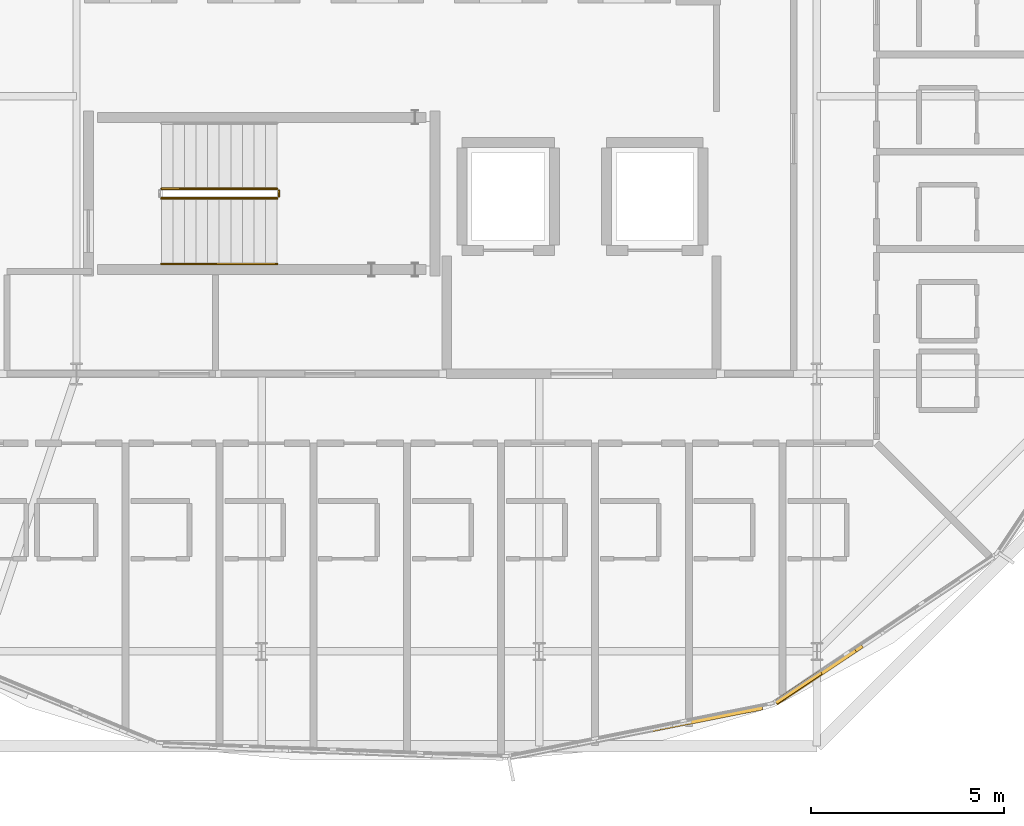
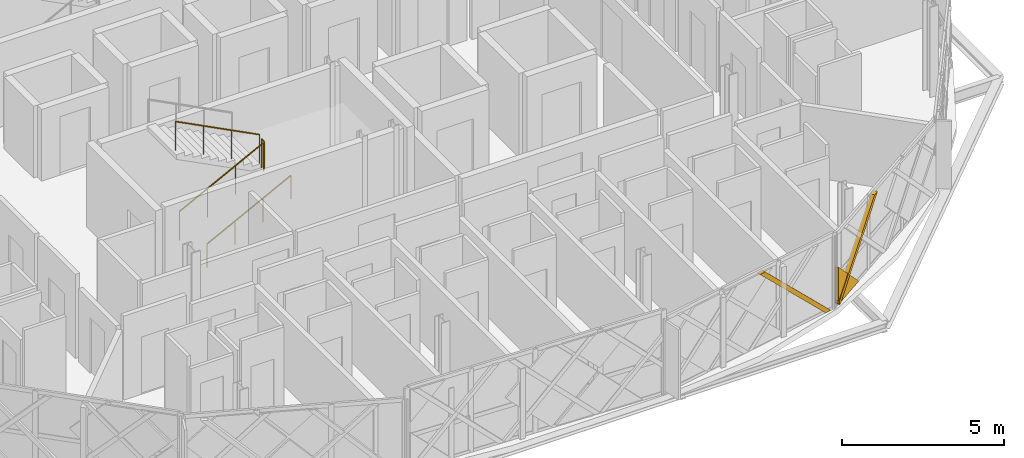
# One storey, part 21 of 24: 4 railings, 3 coverings.
"""IFC4 building model written with IfcOpenShell, lengths in metres."""

from ifc_helpers import new_model, si_unit, direction, frame, origin, origin_2d, place, context, subcontext, project, spatial, polyline, circle, outline, extrude, material, layer, layer_set, type_object, element, save


model = new_model("IFC4")

# Units and contexts
model_context = context("Model", 3, precision=1e-05, world=origin(), true_north=direction((0.0, 1.0)))
body_context = subcontext(model_context, "Body", "Model", "MODEL_VIEW")
ifc_project = project(units=[si_unit("LENGTHUNIT", "METRE"), si_unit("AREAUNIT", "SQUARE_METRE"), si_unit("VOLUMEUNIT", "CUBIC_METRE"), si_unit("PLANEANGLEUNIT", "RADIAN"), si_unit("MASSUNIT", "GRAM", prefix="KILO")], contexts=[model_context])

# Site, building, storey
site_placement = place(None, origin())
site = spatial("IfcSite", under=ifc_project, at=site_placement, CompositionType="ELEMENT")
building_placement = place(site_placement, origin())
building = spatial("IfcBuilding", under=site, at=building_placement, Name="Zevrakil Square Congress Hotel", CompositionType="ELEMENT")
storey_placement = place(building_placement, frame((0.0, 0.0, 31.699951171875)))
storey = spatial("IfcBuildingStorey", under=building, at=storey_placement, Name="L09", CompositionType="ELEMENT", Elevation=31.699951171875)

# Coverings
ifc_material_1 = material(Name="Architectural White Fibre-C GRC", Category="concrete")
ifc_layer_1 = layer(ifc_material_1, 0.06494140625)
ifc_layer_set_1 = layer_set([ifc_layer_1], Name="Architectural White Fibre-C GRC")
covering_type_1 = type_object("IfcCoveringType", Name="COV-DIA-WHITE", PredefinedType="CLADDING", material=ifc_layer_set_1)
covering_1_placement = place(storey_placement, frame((156.139404296875, 9.01171875, 0.080078125), z_axis=(0.555618744269, -0.831436961663, 0.000624337381), x_axis=(-0.831437123709, -0.555618852558, 0.0)))
element("IfcCovering", 1, at=covering_1_placement, inside=storey, type_object=covering_type_1, Name="L09 45-degree white GRC diamond facade cassette 2940", PredefinedType="CLADDING", context=body_context, shape_type="SweptSolid", body=[
    extrude(outline(polyline([(0.0, 0.0), (1.4100444252712594, -5.421010862427522e-20), (1.4100434530275447, -1.409912384164952), (0.0, 0.0)])), origin(), (0.0, 0.0, -1.0), 0.1201171875),
])
ifc_material_2 = material(Name="Anodised Champagne Aluminium", Category="aluminium")
ifc_layer_2 = layer(ifc_material_2, 0.0849609375)
ifc_layer_set_2 = layer_set([ifc_layer_2], Name="Anodised Champagne Aluminium")
covering_type_2 = type_object("IfcCoveringType", Name="COV-DIAGRID-45", PredefinedType="MOLDING", material=ifc_layer_set_2)
covering_2_placement = place(storey_placement, frame((151.748291015625, 7.517822265625, 2.775146484375), z_axis=(0.195119812654, -0.980779235287, 0.000591894523), x_axis=(0.980779407129, 0.195119846639, -3.34169e-07)))
element("IfcCovering", 2, at=covering_2_placement, inside=storey, type_object=covering_type_2, Name="L09 45-degree aluminium diagrid rib 2939", PredefinedType="MOLDING", context=body_context, shape_type="SweptSolid", body=[
    extrude(outline(polyline([(0.0, 0.0), (0.212060378162971, 3.3881317890172014e-21), (2.9071288693396915, -2.695067859996817), (2.695020854495412, -2.6950680017407533), (0.0, 0.0)])), origin(), (0.0, 0.0, -1.0), 0.14501953125),
])
covering_3_placement = place(storey_placement, frame((155.052490234375, 8.25537109375, 0.080078125), z_axis=(0.555778778093, -0.831330140303, 0.000384247407), x_axis=(-0.831330201651, -0.555778819156, -1.06305e-07)))
element("IfcCovering", 3, at=covering_3_placement, inside=storey, type_object=covering_type_2, Name="L09 45-degree aluminium diagrid rib 2944", PredefinedType="MOLDING", context=body_context, shape_type="SweptSolid", body=[
    extrude(outline(polyline([(0.0, 0.0), (0.08606259707968747, -3.3881317890172014e-21), (0.0862655451627268, -0.1259766053594372), (-2.3829392470929416, -2.594970631842353), (-2.595014826986635, -2.594970633705189), (0.0, 0.0)])), origin(), (0.0, 0.0, -1.0), 0.14501953125),
])

# Railings
ifc_material_3 = material(Name="Steel S355", Category="steel")
railing_type_1 = type_object("IfcRailingType", Name="RLG-STAIR-GUARD-1100", PredefinedType="BALUSTRADE", material=ifc_material_3)
railing_1_placement = place(storey_placement, frame((139.0, 21.35009765625, 0.154541015625)))
element("IfcRailing", 4, at=railing_1_placement, inside=storey, type_object=railing_type_1, Name="L09 ST01 stair guard 1", PredefinedType="BALUSTRADE", context=body_context, shape_type="SweptSolid", body=[
    extrude(circle(Radius=0.02392578125, at=origin_2d()), frame((0.0, 0.0, 1.076171875), z_axis=(0.888979911393, 0.0, 0.45794619459), x_axis=(0.0, 1.0, 0.0)), (0.0, 0.0, 1.0), 3.374755859375),
    extrude(circle(Radius=0.02099609375, at=origin_2d()), origin(), (0.0, 0.0, 1.0), 1.052001953125),
    extrude(circle(Radius=0.02099609375, at=origin_2d()), frame((1.0, 0.0, 0.51513671875)), (0.0, 0.0, 1.0), 1.052001953125),
    extrude(circle(Radius=0.02099609375, at=origin_2d()), frame((2.0, 0.0, 1.0302734375)), (0.0, 0.0, 1.0), 1.052001953125),
    extrude(circle(Radius=0.02099609375, at=origin_2d()), frame((3.0, 0.0, 1.54541015625)), (0.0, 0.0, 1.0), 1.052001953125),
])
railing_2_placement = place(storey_placement, frame((142.050048828125, 21.39990234375, 1.699951171875)))
element("IfcRailing", 5, at=railing_2_placement, inside=storey, type_object=railing_type_1, Name="L09 ST01 stair guard 2", PredefinedType="BALUSTRADE", context=body_context, shape_type="SweptSolid", body=[
    extrude(circle(Radius=0.02392578125, at=origin_2d()), frame((0.0, 0.0, 1.076171875), z_axis=(0.0, 1.0, 0.0), x_axis=(-1.0, 0.0, 0.0)), (0.0, 0.0, 1.0), 0.150146484375),
    extrude(circle(Radius=0.02099609375, at=origin_2d()), origin(), (0.0, 0.0, 1.0), 1.052001953125),
    extrude(circle(Radius=0.02099609375, at=origin_2d()), frame((0.0, 0.150146484375, 0.0)), (0.0, 0.0, 1.0), 1.052001953125),
])
railing_3_placement = place(storey_placement, frame((142.0, 21.60009765625, 1.8544921875)))
element("IfcRailing", 6, at=railing_3_placement, inside=storey, type_object=railing_type_1, Name="L09 ST01 stair guard 3", PredefinedType="BALUSTRADE", context=body_context, shape_type="SweptSolid", body=[
    extrude(circle(Radius=0.02392578125, at=origin_2d()), frame((0.0, 0.0, 1.076171875), z_axis=(-0.888950458371, 0.0, 0.45800336523), x_axis=(0.0, -1.0, 0.0)), (0.0, 0.0, 1.0), 3.374755859375),
    extrude(circle(Radius=0.02099609375, at=origin_2d()), origin(), (0.0, 0.0, 1.0), 1.052001953125),
    extrude(circle(Radius=0.02099609375, at=origin_2d()), frame((-1.0, 0.0, 0.51513671875)), (0.0, 0.0, 1.0), 1.052001953125),
    extrude(circle(Radius=0.02099609375, at=origin_2d()), frame((-2.0, 0.0, 1.030517578125)), (0.0, 0.0, 1.0), 1.052001953125),
    extrude(circle(Radius=0.02099609375, at=origin_2d()), frame((-3.0, 0.0, 1.545654296875)), (0.0, 0.0, 1.0), 1.052001953125),
])
ifc_material_4 = material(Name="Steel S355", Category="steel")
railing_type_2 = type_object("IfcRailingType", Name="RLG-STAIR-HAND-900", PredefinedType="HANDRAIL", material=ifc_material_4)
railing_4_placement = place(storey_placement, frame((139.0, 19.64990234375, 0.154541015625)))
element("IfcRailing", 7, at=railing_4_placement, inside=storey, type_object=railing_type_2, Name="L09 ST01 stair handrail 1", PredefinedType="HANDRAIL", context=body_context, shape_type="SweptSolid", body=[
    extrude(circle(Radius=0.02392578125, at=origin_2d()), frame((0.0, 0.0, 0.8759765625), z_axis=(0.888979911393, 0.0, 0.45794619459), x_axis=(0.0, 1.0, 0.0)), (0.0, 0.0, 1.0), 3.374755859375),
    extrude(circle(Radius=0.02099609375, at=origin_2d()), origin(), (0.0, 0.0, 1.0), 0.851806640625),
    extrude(circle(Radius=0.02099609375, at=origin_2d()), frame((1.0, 0.0, 0.51513671875)), (0.0, 0.0, 1.0), 0.851806640625),
    extrude(circle(Radius=0.02099609375, at=origin_2d()), frame((2.0, 0.0, 1.0302734375)), (0.0, 0.0, 1.0), 0.851806640625),
    extrude(circle(Radius=0.02099609375, at=origin_2d()), frame((3.0, 0.0, 1.54541015625)), (0.0, 0.0, 1.0), 0.851806640625),
])

save(model, "model.ifc")
